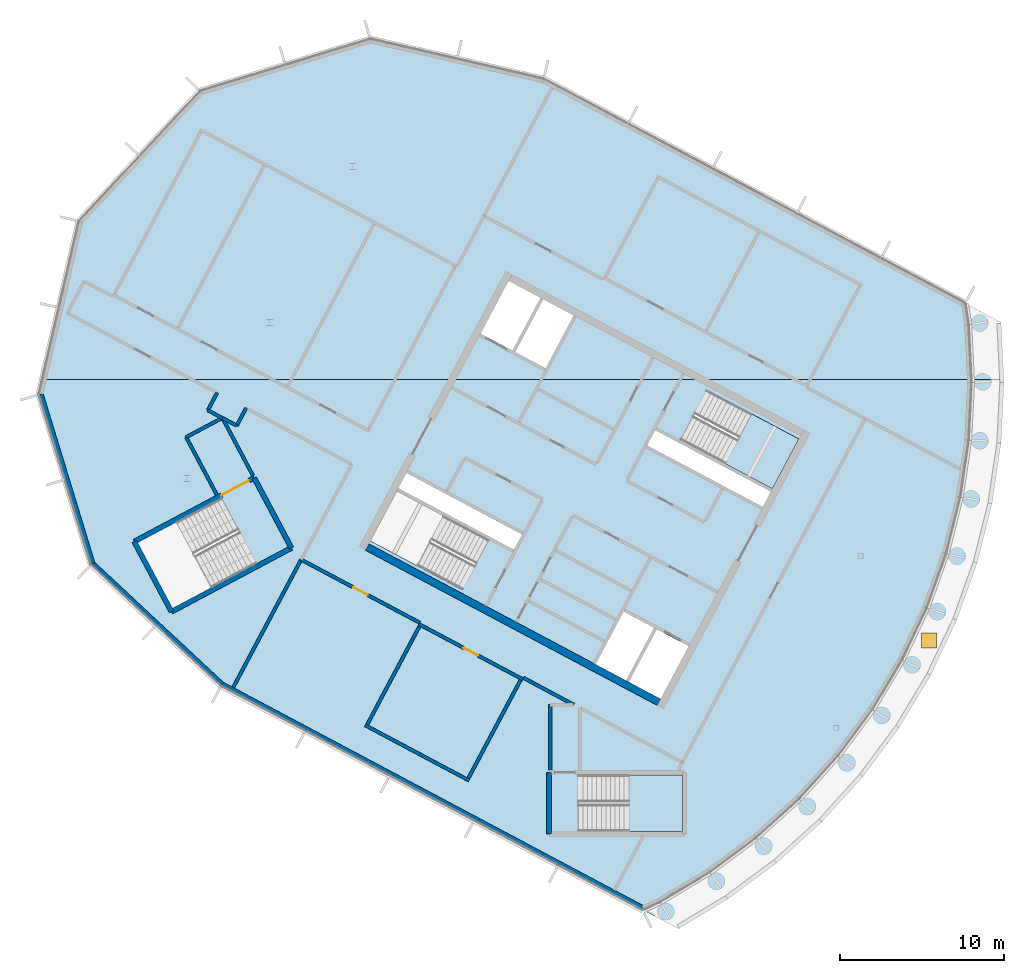
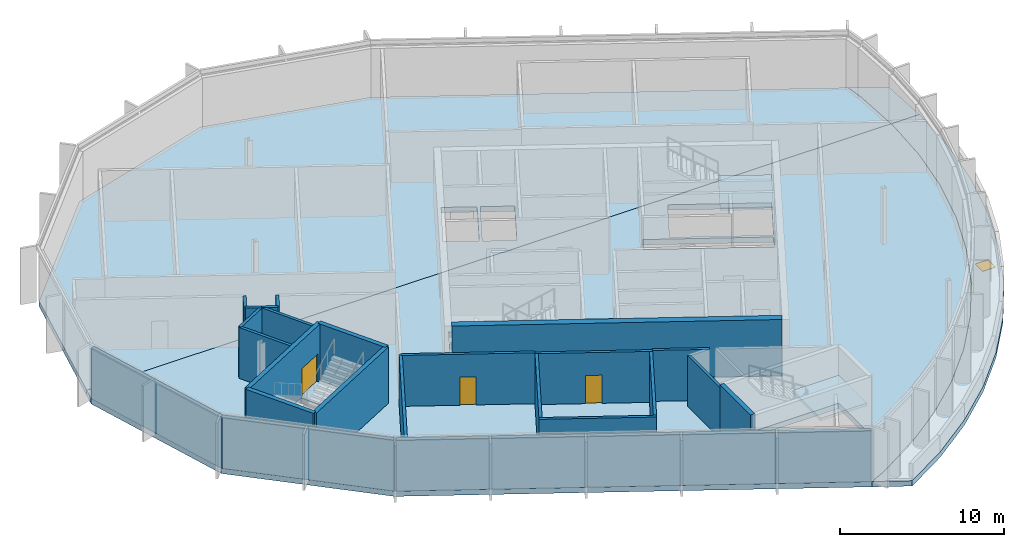
# One storey, part 5 of 12: 24 walls, 6 slabs, 4 doors, 4 openings, 2 elements without a shape of their own.
"""IFC4 building model written with IfcOpenShell, lengths in metres."""

from ifc_helpers import new_model, si_unit, direction, frame, frame_2d, origin, origin_2d, place, context, subcontext, project, spatial, polyline, rectangle, outline, extrude, material, layer, layer_set, type_object, element, fill, aggregate, save


model = new_model("IFC4")

# Units and contexts
model_context = context("Model", 3, precision=1e-05, world=origin(), true_north=direction((0.0, 1.0)))
body_context = subcontext(model_context, "Body", "Model", "MODEL_VIEW")
ifc_project = project(units=[si_unit("LENGTHUNIT", "METRE"), si_unit("AREAUNIT", "SQUARE_METRE"), si_unit("VOLUMEUNIT", "CUBIC_METRE"), si_unit("PLANEANGLEUNIT", "RADIAN"), si_unit("MASSUNIT", "GRAM", prefix="KILO")], contexts=[model_context])

# Site, building, storey
site_placement = place(None, origin())
site = spatial("IfcSite", under=ifc_project, at=site_placement, CompositionType="ELEMENT")
building_placement = place(site_placement, origin())
building = spatial("IfcBuilding", under=site, at=building_placement, Name="Cormorant Relay Tower", CompositionType="ELEMENT")
storey_placement = place(building_placement, frame((0.0, 0.0, 349.199951171875)))
storey = spatial("IfcBuildingStorey", under=building, at=storey_placement, Name="C6", CompositionType="ELEMENT", Elevation=349.199951171875)

# Slabs
ifc_material_1 = material(Name="Concrete 40 MPa", Category="concrete")
ifc_layer_1 = layer(ifc_material_1, 0.400146484375)
ifc_layer_set_1 = layer_set([ifc_layer_1], Name="Crown floor slab 400")
slab_type_1 = type_object("IfcSlabType", Name="Crown floor slab 400", PredefinedType="FLOOR", material=ifc_layer_set_1)
slab_1_placement = place(storey_placement, frame((0.0, 0.0, -0.400146484375)))
element("IfcSlab", 1, at=slab_1_placement, inside=storey, type_object=slab_type_1, Name="Crown floor C6", PredefinedType="FLOOR", context=body_context, shape_type="SweptSolid", body=[
    extrude(outline(polyline([(-23.8154296875, -11.12109375), (-22.762451171875, -10.622802734375), (-19.732177734375, -8.806640625), (-16.89453125, -6.7021484375), (-14.27685546875, -4.32958984375), (-11.904296875, -1.7119140625), (-9.7998046875, 1.125732421875), (-7.9833984375, 4.156005859375), (-6.472900390625, 7.349609375), (-5.28271484375, 10.676025390625), (-4.42431640625, 14.10302734375), (-3.906005859375, 17.59765625), (-3.732666015625, 21.126220703125), (-3.7412109375, 21.300048828125), (-60.510498046875, 21.300048828125), (-60.7197265625, 20.393310546875), (-57.541748046875, 9.997802734375), (-49.591552734375, 2.584228515625), (-23.8154296875, -11.12109375)]), holes=[polyline([(-21.39990234375, -2.875), (-27.75, -2.875), (-27.75, -6.324951171875), (-21.39990234375, -6.324951171875), (-21.39990234375, -2.875)]), polyline([(-22.95458984375, 6.03271484375), (-24.668212890625, 2.81005859375), (-22.725830078125, 1.777099609375), (-21.01220703125, 5.0), (-23.04296875, 6.07958984375), (-22.95458984375, 6.03271484375)]), polyline([(-24.985595703125, 7.112548828125), (-26.69921875, 3.889892578125), (-24.844970703125, 2.90380859375), (-23.13134765625, 6.126708984375), (-23.04296875, 6.07958984375), (-24.985595703125, 7.112548828125)]), polyline([(-54.69970703125, 11.330810546875), (-52.563720703125, 7.3134765625), (-47.442626953125, 10.036376953125), (-49.57861328125, 14.0537109375), (-54.69970703125, 11.330810546875)]), polyline([(-38.847900390625, 14.483154296875), (-40.46728515625, 11.43701171875), (-34.860595703125, 8.455810546875), (-33.240966796875, 11.502197265625), (-38.847900390625, 14.483154296875)]), polyline([(-31.690185546875, 10.904052734375), (-31.197265625, 11.8310546875), (-38.260986328125, 15.5869140625), (-38.75390625, 14.659912109375), (-31.690185546875, 10.904052734375)]), polyline([(-23.052490234375, 18.203125), (-23.54541015625, 17.276123046875), (-16.481689453125, 13.520263671875), (-15.989013671875, 14.447509765625), (-23.052490234375, 18.203125)]), polyline([(-14.275390625, 17.670166015625), (-19.882080078125, 20.6513671875), (-21.501708984375, 17.605224609375), (-15.89501953125, 14.6240234375), (-14.275390625, 17.670166015625)])]), origin(), (0.0, 0.0, 1.0), 0.400146484375),
])
slab_2_placement = place(storey_placement, frame((0.0, 0.0, -0.400146484375)))
element("IfcSlab", 2, at=slab_2_placement, inside=storey, type_object=slab_type_1, Name="Crown floor C6", PredefinedType="FLOOR", context=body_context, shape_type="SweptSolid", body=[
    extrude(outline(polyline([(-60.510498046875, 21.300048828125), (-3.7412109375, 21.300048828125), (-3.906005859375, 24.65478515625), (-4.10009765625, 25.964111328125), (-29.873779296875, 39.668212890625), (-40.465576171875, 42.11328125), (-50.86083984375, 38.935302734375), (-58.2744140625, 30.985107421875), (-60.510498046875, 21.300048828125)]), holes=[polyline([(-29.75732421875, 21.99462890625), (-28.043701171875, 25.217529296875), (-29.89794921875, 26.203369140625), (-31.611572265625, 22.980712890625), (-29.75732421875, 21.99462890625)]), polyline([(-33.73046875, 24.107421875), (-31.7880859375, 23.074462890625), (-30.074462890625, 26.29736328125), (-32.01708984375, 27.330078125), (-33.73046875, 24.107421875)])]), origin(), (0.0, 0.0, 1.0), 0.400146484375),
])

# Slab, opening, door
ifc_material_2 = material(Name="Concrete 40 MPa", Category="concrete")
ifc_layer_2 = layer(ifc_material_2, 0.400146484375)
ifc_layer_set_2 = layer_set([ifc_layer_2], Name="Crown terrace roof slab 400")
slab_type_2 = type_object("IfcSlabType", Name="Crown terrace roof slab 400", PredefinedType="ROOF", material=ifc_layer_set_2)
slab_3_placement = place(storey_placement, frame((0.0, 0.0, -0.400146484375)))
slab_3 = element("IfcSlab", 3, at=slab_3_placement, inside=storey, type_object=slab_type_2, Name="Roof C5", PredefinedType="ROOF", context=body_context, shape_type="SweptSolid", body=[
    extrude(outline(polyline([(-21.638916015625, -12.2783203125), (-18.62109375, -10.469482421875), (-15.625732421875, -8.248291015625), (-12.862548828125, -5.743896484375), (-10.358154296875, -2.980712890625), (-8.13671875, 0.0146484375), (-6.219482421875, 3.213134765625), (-4.625244140625, 6.584228515625), (-3.368896484375, 10.095458984375), (-2.462890625, 13.712890625), (-1.91552734375, 17.401611328125), (-1.732666015625, 21.126220703125), (-1.7412109375, 21.300048828125), (-3.740234375, 21.300048828125), (-3.731689453125, 21.126220703125), (-3.731689453125, 21.126220703125), (-3.905029296875, 17.59765625), (-3.905029296875, 17.597412109375), (-4.42333984375, 14.102783203125), (-4.42333984375, 14.102783203125), (-5.28173828125, 10.67578125), (-5.28173828125, 10.675537109375), (-6.471923828125, 7.349365234375), (-6.47216796875, 7.34912109375), (-7.982666015625, 4.155517578125), (-7.982666015625, 4.155517578125), (-9.798828125, 1.125244140625), (-9.798828125, 1.125), (-11.903564453125, -1.71240234375), (-11.903564453125, -1.712646484375), (-14.276123046875, -4.330322265625), (-14.276123046875, -4.330322265625), (-16.893798828125, -6.702880859375), (-16.893798828125, -6.702880859375), (-19.7314453125, -8.8076171875), (-19.731689453125, -8.8076171875), (-22.76171875, -10.623779296875), (-22.761962890625, -10.623779296875), (-23.814453125, -11.12158203125), (-21.638916015625, -12.2783203125)])), origin(), (0.0, 0.0, 1.0), 0.400146484375),
])
opening_1_placement = place(slab_3_placement, frame((-6.31591796875, 5.343017578125, 0.0)))
opening_1 = element("IfcOpeningElement", 4, at=opening_1_placement, cuts=slab_3, Name="Opening CRD3-005", PredefinedType="OPENING", context=body_context, shape_type="SweptSolid", body=[
    extrude(rectangle(XDim=0.89990234375, YDim=0.89990234375, at=origin_2d()), origin(), (0.0, 0.0, 1.0), 0.400146484375),
])
ifc_material_3 = material(Name="Aluminium hatch", Category="aluminium")
door_type_1 = type_object("IfcDoorType", Name="Roof hatch 900 x 900", OperationType="SINGLE_SWING_LEFT", PredefinedType="TRAPDOOR", material=ifc_material_3)
door_1_placement = place(opening_1_placement, frame((0.0, 0.0, 0.35009765625)))
door_1 = element("IfcDoor", 5, at=door_1_placement, inside=storey, type_object=door_type_1, Name="Maintenance roof hatch", OperationType="SINGLE_SWING_LEFT", OverallHeight=0.89990234375, OverallWidth=0.89990234375, PredefinedType="TRAPDOOR", context=body_context, shape_type="SweptSolid", body=[
    extrude(rectangle(XDim=0.89990234375, YDim=0.89990234375, at=origin_2d()), origin(), (0.0, 0.0, 1.0), 0.050048828125),
])
fill(opening_1, door_1)

# Slab
slab_4_placement = place(storey_placement, frame((0.0, 0.0, -0.400146484375)))
element("IfcSlab", 6, at=slab_4_placement, inside=storey, type_object=slab_type_2, Name="Roof C5", PredefinedType="ROOF", context=body_context, shape_type="SweptSolid", body=[
    extrude(outline(polyline([(-3.740234375, 21.300048828125), (-1.7412109375, 21.300048828125), (-1.9130859375, 24.80126953125), (-4.09912109375, 25.96337890625), (-3.905029296875, 24.655029296875), (-3.905029296875, 24.65478515625), (-3.740234375, 21.300048828125)])), origin(), (0.0, 0.0, 1.0), 0.400146484375),
])

# Stair, slab
ifc_material_4 = material(Name="Concrete 40 MPa", Category="concrete")
stair_type = type_object("IfcStairType", Name="Exit stair 1500", PredefinedType="HALF_TURN_STAIR", material=ifc_material_4)
stair_1_placement = place(storey_placement, origin())
stair_1 = element("IfcStair", 7, at=stair_1_placement, inside=storey, type_object=stair_type, Name="C6 Stair", PredefinedType="HALF_TURN_STAIR")
ifc_material_5 = material(Name="Concrete 40 MPa", Category="concrete")
ifc_layer_3 = layer(ifc_material_5, 0.199951171875)
ifc_layer_set_3 = layer_set([ifc_layer_3], Name="Exit stair landing 200")
slab_type_3 = type_object("IfcSlabType", Name="Exit stair landing 200", PredefinedType="LANDING", material=ifc_layer_set_3)
slab_5_placement = place(storey_placement, frame((0.0, 0.0, 1.900146484375)))
slab_5 = element("IfcSlab", 8, at=slab_5_placement, type_object=slab_type_3, Name="A1 landing 1", PredefinedType="LANDING", context=body_context, shape_type="SweptSolid", body=[
    extrude(outline(polyline([(-18.7822265625, 16.1591796875), (-15.89501953125, 14.6240234375), (-14.275390625, 17.670166015625), (-17.16259765625, 19.205322265625), (-18.7822265625, 16.1591796875)])), origin(), (0.0, 0.0, 1.0), 0.199951171875),
])
aggregate(stair_1, [slab_5])

stair_2_placement = place(storey_placement, origin())
stair_2 = element("IfcStair", 9, at=stair_2_placement, inside=storey, type_object=stair_type, Name="C6 Stair", PredefinedType="HALF_TURN_STAIR")
slab_6_placement = place(storey_placement, frame((0.0, 0.0, 1.900146484375)))
slab_6 = element("IfcSlab", 10, at=slab_6_placement, type_object=slab_type_3, Name="RC1 landing 1", PredefinedType="LANDING", context=body_context, shape_type="SweptSolid", body=[
    extrude(outline(polyline([(-24.669921875, -6.324951171875), (-21.39990234375, -6.324951171875), (-21.39990234375, -2.875), (-24.669921875, -2.875), (-24.669921875, -6.324951171875)])), origin(), (0.0, 0.0, 1.0), 0.199951171875),
])
aggregate(stair_2, [slab_6])

# Wall
ifc_material_6 = material(Name="Concrete 50 MPa", Category="concrete")
ifc_layer_4 = layer(ifc_material_6, 0.449951171875)
ifc_layer_set_4 = layer_set([ifc_layer_4], Name="Core wall 450")
wall_type_1 = type_object("IfcWallType", Name="Core wall 450", PredefinedType="SHEAR", material=ifc_layer_set_4)
wall_1_placement = place(storey_placement, frame((-22.83154296875, 1.578369140625, 0.0), z_axis=(0.0, 0.0, 1.0), x_axis=(-0.88294509198, 0.469476266226, 0.0)))
element("IfcWall", 11, at=wall_1_placement, inside=storey, type_object=wall_type_1, Name="C6 core A wall", PredefinedType="SHEAR", context=body_context, shape_type="SweptSolid", body=[
    extrude(rectangle(XDim=20.199951171875, YDim=0.449951171875, at=frame_2d((10.10009765625, 0.0))), origin(), (0.0, 0.0, 1.0), 4.199951171875),
])

# Wall, opening, door
ifc_material_7 = material(Name="Concrete 30 MPa block wall", Category="concrete")
ifc_layer_5 = layer(ifc_material_7, 0.199951171875)
ifc_layer_set_5 = layer_set([ifc_layer_5], Name="Crown plant room wall 200")
wall_type_2 = type_object("IfcWallType", Name="Crown plant room wall 200", PredefinedType="PARTITIONING", material=ifc_layer_set_5)
wall_2_placement = place(storey_placement, frame((-31.15087890625, 2.972412109375, 0.0), z_axis=(0.0, 0.0, 1.0), x_axis=(-0.882950149473, 0.469466754463, 0.0)))
wall_2 = element("IfcWall", 12, at=wall_2_placement, inside=storey, type_object=wall_type_2, Name="Plant room wall", PredefinedType="PARTITIONING", context=body_context, shape_type="SweptSolid", body=[
    extrude(rectangle(XDim=7.199951171875, YDim=0.199951171875, at=frame_2d((3.60009765625, 0.0))), origin(), (0.0, 0.0, 1.0), 3.7998046875),
])
opening_2_placement = place(wall_2_placement, frame((3.10009765625, 0.0, 0.0)))
opening_2 = element("IfcOpeningElement", 13, at=opening_2_placement, cuts=wall_2, Name="Opening CRD1-001", PredefinedType="OPENING", context=body_context, shape_type="SweptSolid", body=[
    extrude(rectangle(XDim=1.0, YDim=2.10009765625, at=frame_2d((0.5, 1.050048828125))), frame((0.0, 0.10986328125, 0.0), z_axis=(0.0, -1.0, 0.0), x_axis=(1.0, 0.0, 0.0)), (0.0, 0.0, 1.0), 0.219970703125),
])
ifc_material_8 = material(Name="Galvanised sheet steel ASTM A653 framed door leaf", Category="steel")
door_type_2 = type_object("IfcDoorType", Name="Crown door single 1000", OperationType="SINGLE_SWING_LEFT", PredefinedType="DOOR", material=ifc_material_8)
door_2_placement = place(opening_2_placement, origin())
door_2 = element("IfcDoor", 14, at=door_2_placement, inside=storey, type_object=door_type_2, Name="Generator room door", OperationType="SINGLE_SWING_LEFT", OverallHeight=2.10009765625, OverallWidth=1.0, PredefinedType="DOOR", context=body_context, shape_type="SweptSolid", body=[
    extrude(rectangle(XDim=1.0, YDim=2.10009765625, at=frame_2d((0.5, 1.050048828125))), frame((0.0, 0.02490234375, 0.0), z_axis=(0.0, -1.0, 0.0), x_axis=(1.0, 0.0, 0.0)), (0.0, 0.0, 1.0), 0.050048828125),
])
fill(opening_2, door_2)

# Walls
wall_3_placement = place(storey_placement, frame((-34.43701171875, -3.208251953125, 0.0), z_axis=(0.0, 0.0, 1.0), x_axis=(-0.882957622595, 0.46945269911, 0.0)))
element("IfcWall", 15, at=wall_3_placement, inside=storey, type_object=wall_type_2, Name="Plant room wall", PredefinedType="PARTITIONING", context=body_context, shape_type="SweptSolid", body=[
    extrude(rectangle(XDim=7.2001953125, YDim=0.199951171875, at=frame_2d((3.60009765625, 0.0))), origin(), (0.0, 0.0, 1.0), 3.7998046875),
])
for number, where, z_axis, x_axis, name in (
    (16, (-31.2861328125, 2.930908203125, 0.0), (0.0, 0.0, 1.0), (-0.469477207229, -0.882944591632, 0.0), "Plant room wall"),
    (17, (-37.466796875, 6.21728515625, 0.0), (0.0, 0.0, 1.0), (-0.469477207229, -0.882944591632, 0.0), "Plant room wall"),
):
    element("IfcWall", number, at=place(storey_placement, frame(where, z_axis=z_axis, x_axis=x_axis)), inside=storey, type_object=wall_type_2, Name=name, PredefinedType="PARTITIONING", context=body_context, shape_type="SweptSolid", body=[
        extrude(rectangle(XDim=6.7998046875, YDim=0.199951171875, at=frame_2d((3.39990234375, 0.0))), origin(), (0.0, 0.0, 1.0), 3.7998046875),
    ])
wall_4_placement = place(storey_placement, frame((-48.06591796875, 19.554443359375, 0.0), z_axis=(0.0, 0.0, 1.0), x_axis=(-0.472372077366, -0.881399240143, 0.0)))
element("IfcWall", 18, at=wall_4_placement, inside=storey, type_object=wall_type_2, Name="Plant room wall", PredefinedType="PARTITIONING", context=body_context, shape_type="SweptSolid", body=[
    extrude(rectangle(XDim=1.214111328125, YDim=0.199951171875, at=frame_2d((0.60693359375, 0.0))), origin(), (0.0, 0.0, 1.0), 3.7998046875),
])
wall_5_placement = place(storey_placement, frame((-48.639404296875, 18.484375, 0.0), z_axis=(0.0, 0.0, 1.0), x_axis=(-0.883070878111, 0.469239623467, 0.0)))
element("IfcWall", 19, at=wall_5_placement, inside=storey, type_object=wall_type_2, Name="Plant room wall", PredefinedType="PARTITIONING", context=body_context, shape_type="SweptSolid", body=[
    extrude(rectangle(XDim=0.987060546875, YDim=0.199951171875, at=frame_2d((0.49365234375, 0.0))), origin(), (0.0, 0.0, 1.0), 3.7998046875),
])
wall_6_placement = place(storey_placement, frame((-49.510986328125, 18.947509765625, 0.0), z_axis=(0.0, 0.0, 1.0), x_axis=(0.467853974405, -0.883805781059, 0.0)))
element("IfcWall", 20, at=wall_6_placement, inside=storey, type_object=wall_type_2, Name="Plant room wall", PredefinedType="PARTITIONING", context=body_context, shape_type="SweptSolid", body=[
    extrude(rectangle(XDim=3.98876953125, YDim=0.199951171875, at=frame_2d((1.994384765625, 0.0))), origin(), (0.0, 0.0, 1.0), 3.7998046875),
])
wall_7_placement = place(storey_placement, frame((-49.851806640625, 14.248291015625, 0.0), z_axis=(0.0, 0.0, 1.0), x_axis=(-0.469510728702, 0.882926766858, 0.0)))
element("IfcWall", 21, at=wall_7_placement, inside=storey, type_object=wall_type_2, Name="Plant room wall", PredefinedType="PARTITIONING", context=body_context, shape_type="SweptSolid", body=[
    extrude(rectangle(XDim=3.999755859375, YDim=0.199951171875, at=frame_2d((2.0, 0.0))), origin(), (0.0, 0.0, 1.0), 3.7998046875),
])
wall_8_placement = place(storey_placement, frame((-51.729736328125, 17.77978515625, 0.0), z_axis=(0.0, 0.0, 1.0), x_axis=(0.882878437933, 0.469601601182, 0.0)))
element("IfcWall", 22, at=wall_8_placement, inside=storey, type_object=wall_type_2, Name="Plant room wall", PredefinedType="PARTITIONING", context=body_context, shape_type="SweptSolid", body=[
    extrude(rectangle(XDim=2.492431640625, YDim=0.199951171875, at=frame_2d((1.24609375, 0.0))), origin(), (0.0, 0.0, 1.0), 3.7998046875),
])
wall_9_placement = place(storey_placement, frame((-49.529296875, 18.9501953125, 0.0), z_axis=(0.0, 0.0, 1.0), x_axis=(-0.880014039158, 0.474947671733, 0.0)))
element("IfcWall", 23, at=wall_9_placement, inside=storey, type_object=wall_type_2, Name="Plant room wall", PredefinedType="PARTITIONING", context=body_context, shape_type="SweptSolid", body=[
    extrude(rectangle(XDim=0.99560546875, YDim=0.199951171875, at=frame_2d((0.497802734375, 0.0))), origin(), (0.0, 0.0, 1.0), 3.7998046875),
])
wall_10_placement = place(storey_placement, frame((-50.405517578125, 19.423095703125, 0.0), z_axis=(0.0, 0.0, 1.0), x_axis=(0.469425611223, 0.882972024204, 0.0)))
element("IfcWall", 24, at=wall_10_placement, inside=storey, type_object=wall_type_2, Name="Plant room wall", PredefinedType="PARTITIONING", context=body_context, shape_type="SweptSolid", body=[
    extrude(rectangle(XDim=1.210205078125, YDim=0.199951171875, at=frame_2d((0.60498046875, 0.0))), origin(), (0.0, 0.0, 1.0), 3.7998046875),
])
wall_11_placement = place(storey_placement, frame((-29.474853515625, -2.574951171875, 0.0), z_axis=(0.0, 0.0, 1.0), x_axis=(-6.1038882e-05, 0.999999998137, 0.0)))
element("IfcWall", 25, at=wall_11_placement, inside=storey, type_object=wall_type_2, Name="Plant room wall", PredefinedType="PARTITIONING", context=body_context, shape_type="SweptSolid", body=[
    extrude(rectangle(XDim=3.999755859375, YDim=0.199951171875, at=frame_2d((2.0, 0.0))), origin(), (0.0, 0.0, 1.0), 3.7998046875),
])
wall_12_placement = place(storey_placement, frame((-28.043701171875, 1.425048828125, 0.0), z_axis=(0.0, 0.0, 1.0), x_axis=(-0.881938187053, 0.471365075305, 0.0)))
element("IfcWall", 26, at=wall_12_placement, inside=storey, type_object=wall_type_2, Name="Plant room wall", PredefinedType="PARTITIONING", context=body_context, shape_type="SweptSolid", body=[
    extrude(rectangle(XDim=3.489990234375, YDim=0.199951171875, at=frame_2d((1.7451171875, 0.0))), origin(), (0.0, 0.0, 1.0), 3.7998046875),
])

# Wall, opening, door
wall_13_placement = place(storey_placement, frame((-37.443603515625, 6.431396484375, 0.0), z_axis=(0.0, 0.0, 1.0), x_axis=(-0.88293683547, 0.469491793934, 0.0)))
wall_13 = element("IfcWall", 27, at=wall_13_placement, inside=storey, type_object=wall_type_2, Name="Plant room wall", PredefinedType="PARTITIONING", context=body_context, shape_type="SweptSolid", body=[
    extrude(rectangle(XDim=8.2197265625, YDim=0.199951171875, at=frame_2d((4.10986328125, 0.0))), origin(), (0.0, 0.0, 1.0), 3.7998046875),
])
opening_3_placement = place(wall_13_placement, frame((3.610107421875, 0.0, 0.0)))
opening_3 = element("IfcOpeningElement", 28, at=opening_3_placement, cuts=wall_13, Name="Opening CRD1-009", PredefinedType="OPENING", context=body_context, shape_type="SweptSolid", body=[
    extrude(rectangle(XDim=1.0, YDim=2.10009765625, at=frame_2d((0.5, 1.050048828125))), frame((0.0, 0.10986328125, 0.0), z_axis=(0.0, -1.0, 0.0), x_axis=(1.0, 0.0, 0.0)), (0.0, 0.0, 1.0), 0.219970703125),
])
door_3_placement = place(opening_3_placement, origin())
door_3 = element("IfcDoor", 29, at=door_3_placement, inside=storey, type_object=door_type_2, Name="Maintenance workshop door", OperationType="SINGLE_SWING_LEFT", OverallHeight=2.10009765625, OverallWidth=1.0, PredefinedType="DOOR", context=body_context, shape_type="SweptSolid", body=[
    extrude(rectangle(XDim=1.0, YDim=2.10009765625, at=frame_2d((0.5, 1.050048828125))), frame((0.0, 0.02490234375, 0.0), z_axis=(0.0, -1.0, 0.0), x_axis=(1.0, 0.0, 0.0)), (0.0, 0.0, 1.0), 0.050048828125),
])
fill(opening_3, door_3)

# Walls
wall_14_placement = place(storey_placement, frame((-44.69287109375, 10.30859375, 0.0), z_axis=(0.0, 0.0, 1.0), x_axis=(-0.469467804358, -0.88294959124, 0.0)))
element("IfcWall", 30, at=wall_14_placement, inside=storey, type_object=wall_type_2, Name="Plant room wall", PredefinedType="PARTITIONING", context=body_context, shape_type="SweptSolid", body=[
    extrude(rectangle(XDim=8.86962890625, YDim=0.199951171875, at=frame_2d((4.434814453125, 0.0))), origin(), (0.0, 0.0, 1.0), 3.7998046875),
])
ifc_material_9 = material(Name="Bronze cladding on Concrete 30 MPa block wall", Category="concrete")
ifc_layer_6 = layer(ifc_material_9, 0.25)
ifc_layer_set_6 = layer_set([ifc_layer_6], Name="Crown wall 250")
wall_type_3 = type_object("IfcWallType", Name="Crown wall 250", PredefinedType="STANDARD", material=ifc_layer_set_6)
wall_15_placement = place(storey_placement, frame((-57.431884765625, 10.06640625, 0.0), z_axis=(0.0, 0.0, 1.0), x_axis=(-0.292379862982, 0.956302261695, 0.0)))
element("IfcWall", 31, at=wall_15_placement, inside=storey, type_object=wall_type_3, Name="Crown wall C6", PredefinedType="STANDARD", context=body_context, shape_type="SweptSolid", body=[
    extrude(rectangle(XDim=10.803466796875, YDim=0.25, at=frame_2d((5.40185546875, 0.0))), origin(), (0.0, 0.0, 1.0), 3.7998046875),
])
wall_16_placement = place(storey_placement, frame((-23.812255859375, -10.981201171875, 0.0), z_axis=(0.0, 0.0, 1.0), x_axis=(-0.882946722038, 0.469473200559, 0.0)))
element("IfcWall", 32, at=wall_16_placement, inside=storey, type_object=wall_type_3, Name="Crown wall C6", PredefinedType="STANDARD", context=body_context, shape_type="SweptSolid", body=[
    extrude(rectangle(XDim=29.114013671875, YDim=0.25, at=frame_2d((14.55712890625, 0.0))), origin(), (0.0, 0.0, 1.0), 3.7998046875),
])
wall_17_placement = place(storey_placement, frame((-49.518310546875, 2.68701171875, 0.0), z_axis=(0.0, 0.0, 1.0), x_axis=(-0.731359823822, 0.681991794745, 0.0)))
element("IfcWall", 33, at=wall_17_placement, inside=storey, type_object=wall_type_3, Name="Crown wall C6", PredefinedType="STANDARD", context=body_context, shape_type="SweptSolid", body=[
    extrude(rectangle(XDim=10.8203125, YDim=0.25, at=frame_2d((5.41015625, 0.0))), origin(), (0.0, 0.0, 1.0), 3.7998046875),
])
ifc_material_10 = material(Name="Concrete 50 MPa", Category="concrete")
ifc_layer_7 = layer(ifc_material_10, 0.300048828125)
ifc_layer_set_7 = layer_set([ifc_layer_7], Name="Remote stair wall 300")
wall_type_4 = type_object("IfcWallType", Name="Remote stair wall 300", PredefinedType="SHEAR", material=ifc_layer_set_7)
wall_18_placement = place(storey_placement, frame((-47.57421875, 15.28955078125, 0.0), z_axis=(0.0, 0.0, 1.0), x_axis=(0.469443498566, -0.882962514297, 0.0)))
element("IfcWall", 34, at=wall_18_placement, inside=storey, type_object=wall_type_4, Name="C6 exit stair RP1 wall", PredefinedType="SHEAR", context=body_context, shape_type="SweptSolid", body=[
    extrude(rectangle(XDim=4.85009765625, YDim=0.300048828125, at=frame_2d((2.425048828125, 0.0))), origin(), (0.0, 0.0, 1.0), 4.199951171875),
])
wall_19_placement = place(storey_placement, frame((-45.29736328125, 11.007080078125, 0.0), z_axis=(0.0, 0.0, 1.0), x_axis=(-0.882951519127, -0.469464178475, 0.0)))
element("IfcWall", 35, at=wall_19_placement, inside=storey, type_object=wall_type_4, Name="C6 exit stair RP1 wall", PredefinedType="SHEAR", context=body_context, shape_type="SweptSolid", body=[
    extrude(rectangle(XDim=8.2998046875, YDim=0.300048828125, at=frame_2d((4.14990234375, 0.0))), origin(), (0.0, 0.0, 1.0), 4.199951171875),
])
wall_20_placement = place(storey_placement, frame((-52.625732421875, 7.110595703125, 0.0), z_axis=(0.0, 0.0, 1.0), x_axis=(-0.469464364128, 0.882951420416, 0.0)))
element("IfcWall", 36, at=wall_20_placement, inside=storey, type_object=wall_type_4, Name="C6 exit stair RP1 wall", PredefinedType="SHEAR", context=body_context, shape_type="SweptSolid", body=[
    extrude(rectangle(XDim=4.849853515625, YDim=0.300048828125, at=frame_2d((2.4248046875, 0.0))), origin(), (0.0, 0.0, 1.0), 4.199951171875),
])

# Wall, opening, door
wall_21_placement = place(storey_placement, frame((-54.902587890625, 11.392822265625, 0.0), z_axis=(0.0, 0.0, 1.0), x_axis=(0.882939326045, 0.469487110071, 0.0)))
wall_21 = element("IfcWall", 37, at=wall_21_placement, inside=storey, type_object=wall_type_4, Name="C6 exit stair RP1 wall", PredefinedType="SHEAR", context=body_context, shape_type="SweptSolid", body=[
    extrude(rectangle(XDim=8.300048828125, YDim=0.300048828125, at=frame_2d((4.14990234375, 0.0))), origin(), (0.0, 0.0, 1.0), 4.199951171875),
])
opening_4_placement = place(wall_21_placement, frame((6.050048828125, 0.0, 0.0)))
opening_4 = element("IfcOpeningElement", 38, at=opening_4_placement, cuts=wall_21, Name="Opening CDE-018", PredefinedType="OPENING", context=body_context, shape_type="SweptSolid", body=[
    extrude(rectangle(XDim=1.89990234375, YDim=2.10009765625, at=frame_2d((0.949951171875, 1.050048828125))), frame((0.0, 0.159912109375, 0.0), z_axis=(0.0, -1.0, 0.0), x_axis=(1.0, 0.0, 0.0)), (0.0, 0.0, 1.0), 0.320068359375),
])
ifc_material_11 = material(Name="Steel fire door", Category="steel")
door_type_3 = type_object("IfcDoorType", Name="Remote stair door 1900x2100", OperationType="DOUBLE_DOOR_SINGLE_SWING", PredefinedType="DOOR", material=ifc_material_11)
door_4_placement = place(opening_4_placement, origin())
door_4 = element("IfcDoor", 39, at=door_4_placement, inside=storey, type_object=door_type_3, Name="Exit stair RP1 door", OperationType="DOUBLE_DOOR_SINGLE_SWING", OverallHeight=2.10009765625, OverallWidth=1.89990234375, PredefinedType="DOOR", context=body_context, shape_type="SweptSolid", body=[
    extrude(rectangle(XDim=1.89990234375, YDim=2.10009765625, at=frame_2d((0.949951171875, 1.050048828125))), frame((0.0, 0.02490234375, 0.0), z_axis=(0.0, -1.0, 0.0), x_axis=(1.0, 0.0, 0.0)), (0.0, 0.0, 1.0), 0.050048828125),
])
fill(opening_4, door_4)

# Wall
wall_22_placement = place(storey_placement, frame((-29.550048828125, -6.47509765625, 0.0), z_axis=(0.0, 0.0, 1.0), x_axis=(0.0, 1.0, 0.0)))
element("IfcWall", 40, at=wall_22_placement, inside=storey, type_object=wall_type_4, Name="C6 exit stair RC1 wall", PredefinedType="SHEAR", context=body_context, shape_type="SweptSolid", body=[
    extrude(rectangle(XDim=3.75, YDim=0.300048828125, at=frame_2d((1.875, 0.0))), origin(), (0.0, 0.0, 1.0), 4.199951171875),
])

save(model, "model.ifc")
